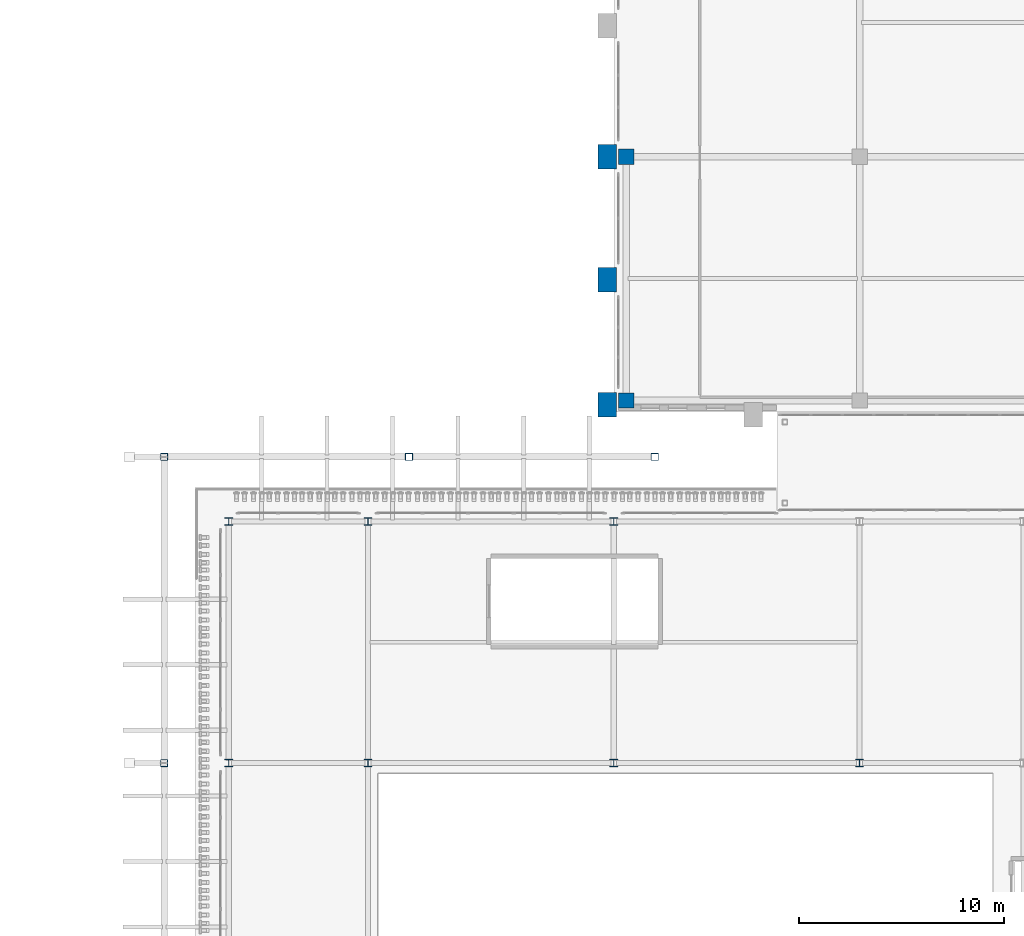
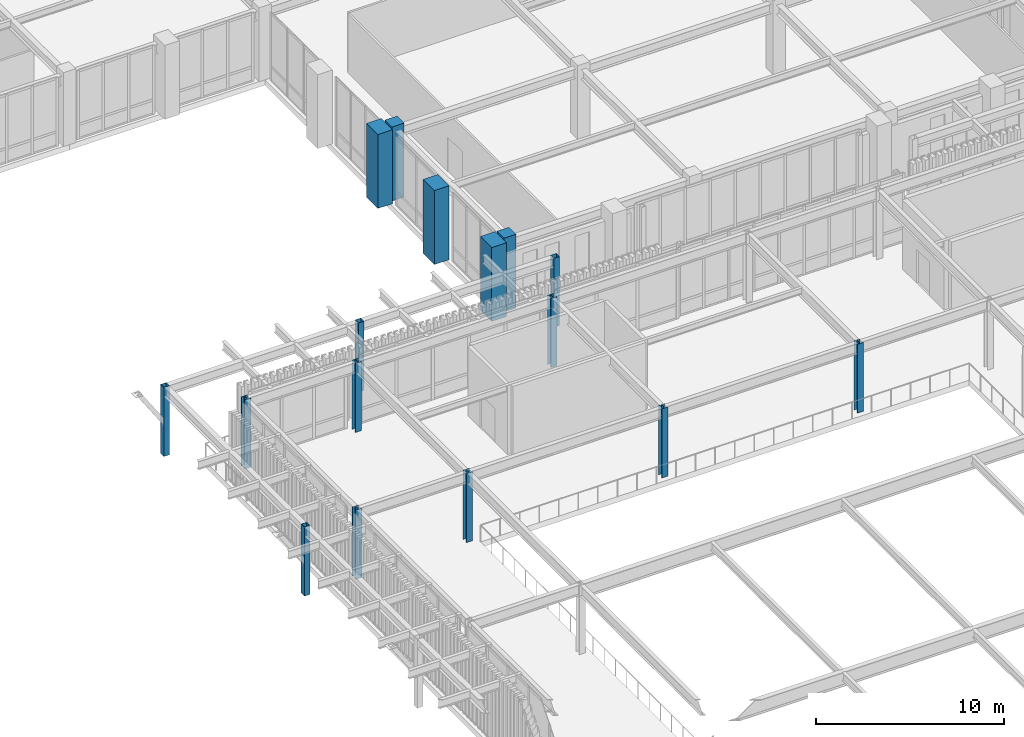
# One storey, part 8 of 126: 16 columns.
"""IFC4 building model written with IfcOpenShell, lengths in metres."""

from ifc_helpers import new_model, si_unit, derived_unit, direction, frame, origin, origin_2d, place, context, subcontext, project, spatial, rectangle, hollow_rectangle, i_section, extrude, material, material_profile, profile_set, type_object, element, save


model = new_model("IFC4")

# Units and contexts
model_context = context("Model", 3, precision=1e-05, world=origin(), true_north=direction((0.0, 1.0)))
body_context = subcontext(model_context, "Body", "Model", "MODEL_VIEW")
ifc_project = project(units=[si_unit("LENGTHUNIT", "METRE"), si_unit("AREAUNIT", "SQUARE_METRE"), si_unit("VOLUMEUNIT", "CUBIC_METRE"), si_unit("PLANEANGLEUNIT", "RADIAN"), si_unit("MASSUNIT", "GRAM", prefix="KILO"), derived_unit("THERMALTRANSMITTANCEUNIT", [(si_unit("MASSUNIT", "GRAM", prefix="KILO"), 1), (si_unit("TIMEUNIT", "SECOND"), -3), (si_unit("THERMODYNAMICTEMPERATUREUNIT", "KELVIN"), -1)])], contexts=[model_context])

# Site, building, storey
site_placement = place(None, origin())
site = spatial("IfcSite", under=ifc_project, at=site_placement, CompositionType="ELEMENT")
building_placement = place(site_placement, origin())
building = spatial("IfcBuilding", under=site, at=building_placement, Name="Valcora Ridge Arena", CompositionType="ELEMENT")
storey_placement = place(building_placement, frame((0.0, 0.0, 11.39990234375)))
storey = spatial("IfcBuildingStorey", under=building, at=storey_placement, Name="L02", CompositionType="ELEMENT", Elevation=11.39990234375)

# Columns
ifc_material_1 = material(Name="Bush-hammered Andean travertine architectural concrete C45/55", Category="masonry")
ifc_material_profile_1 = material_profile(ifc_material_1, rectangle(XDim=0.89990234375, YDim=1.199951171875, at=origin_2d()), Name="RC 900x1200")
ifc_profile_set_1 = profile_set([ifc_material_profile_1], Name="Bush-hammered Andean travertine architectural concrete C45/55")
column_type_1 = type_object("IfcColumnType", Name="TY-COLUMN-C-BUTT-1200", PredefinedType="PILASTER", material=ifc_profile_set_1)
for number, where, z_axis, x_axis, name in (
    (1, (155.679931640625, 83.5, 0.0), (0.0, 0.0, 1.0), (1.0, 0.0, 0.0), "C-BUTT-1200 COL-C-BUTT-1200-0250"),
    (2, (155.679931640625, 89.60009765625, 0.0), (0.0, 0.0, 1.0), (1.0, 0.0, 0.0), "C-BUTT-1200 COL-C-BUTT-1200-0254"),
    (3, (155.679931640625, 95.60009765625, 0.0), (0.0, 0.0, 1.0), (1.0, 0.0, 0.0), "C-BUTT-1200 COL-C-BUTT-1200-0258"),
):
    element("IfcColumn", number, at=place(storey_placement, frame(where, z_axis=z_axis, x_axis=x_axis)), inside=storey, type_object=column_type_1, Name=name, PredefinedType="PILASTER", context=body_context, shape_type="SweptSolid", body=[
        extrude(rectangle(XDim=0.89990234375, YDim=1.199951171875, at=origin_2d()), origin(), (0.0, 0.0, 1.0), 4.800048828125),
    ])
ifc_material_2 = material(Name="Steel ASTM A500 Grade C", Category="steel")
ifc_material_profile_2 = material_profile(ifc_material_2, hollow_rectangle(XDim=0.35009765625, YDim=0.35009765625, WallThickness=0.01611328125, at=origin_2d()), Name="HSS350X350X16")
ifc_profile_set_2 = profile_set([ifc_material_profile_2], Name="Steel ASTM A500 Grade C")
column_type_2 = type_object("IfcColumnType", Name="TY-COLUMN-C-COL350", PredefinedType="COLUMN", material=ifc_profile_set_2)
for number, where, z_axis, x_axis, name in (
    (4, (134.050048828125, 66.0, 0.0), (0.0, 0.0, 1.0), (1.0, 0.0, 0.0), "C-COL350 COL-C-COL350-0018"),
    (5, (134.050048828125, 80.949951171875, 0.0), (0.0, 0.0, 1.0), (1.0, 0.0, 0.0), "C-COL350 COL-C-COL350-0021"),
    (6, (146.0, 80.949951171875, 0.0), (0.0, 0.0, 1.0), (1.0, 0.0, 0.0), "C-COL350 COL-C-COL350-0057"),
    (7, (158.0, 80.949951171875, 0.0), (0.0, 0.0, 1.0), (1.0, 0.0, 0.0), "C-COL350 COL-C-COL350-0060"),
):
    element("IfcColumn", number, at=place(storey_placement, frame(where, z_axis=z_axis, x_axis=x_axis)), inside=storey, type_object=column_type_2, Name=name, PredefinedType="COLUMN", context=body_context, shape_type="SweptSolid", body=[
        extrude(hollow_rectangle(XDim=0.35009765625, YDim=0.35009765625, WallThickness=0.01611328125, at=origin_2d()), origin(), (0.0, 0.0, 1.0), 4.47998046875),
    ])
ifc_material_3 = material(Name="Concrete C40/50", Category="concrete")
ifc_material_profile_3 = material_profile(ifc_material_3, rectangle(XDim=0.75, YDim=0.75, at=origin_2d()), Name="RC 750x750")
ifc_profile_set_3 = profile_set([ifc_material_profile_3], Name="Concrete C40/50")
column_type_3 = type_object("IfcColumnType", Name="TY-COLUMN-C-RC750", PredefinedType="COLUMN", material=ifc_profile_set_3)
for number, where, z_axis, x_axis, name in (
    (8, (156.60009765625, 83.699951171875, 0.0), (0.0, 0.0, 1.0), (1.0, 0.0, 0.0), "C-RC750 COL-C-RC750-0091"),
    (9, (156.60009765625, 95.60009765625, 0.0), (0.0, 0.0, 1.0), (1.0, 0.0, 0.0), "C-RC750 COL-C-RC750-0093"),
):
    element("IfcColumn", number, at=place(storey_placement, frame(where, z_axis=z_axis, x_axis=x_axis)), inside=storey, type_object=column_type_3, Name=name, PredefinedType="COLUMN", context=body_context, shape_type="SweptSolid", body=[
        extrude(rectangle(XDim=0.75, YDim=0.75, at=origin_2d()), origin(), (0.0, 0.0, 1.0), 4.800048828125),
    ])
ifc_material_4 = material(Name="Steel ASTM A572 Grade 50", Category="steel")
ifc_material_profile_4 = material_profile(ifc_material_4, i_section(OverallWidth=0.3740234375, OverallDepth=0.373046875, WebThickness=0.016357421875, FlangeThickness=0.026123046875, FilletRadius=0.01806640625, at=origin_2d()), Name="W14X132")
ifc_profile_set_4 = profile_set([ifc_material_profile_4], Name="Steel ASTM A572 Grade 50")
column_type_4 = type_object("IfcColumnType", Name="TY-COLUMN-C-STL14B", PredefinedType="COLUMN", material=ifc_profile_set_4)
for number, where, z_axis, x_axis, name in (
    (10, (137.199951171875, 66.0, 0.0), (0.0, 0.0, 1.0), (1.0, 0.0, 0.0), "C-STL14B COL-C-STL14B-0012"),
    (11, (137.199951171875, 77.800048828125, 0.0), (0.0, 0.0, 1.0), (1.0, 0.0, 0.0), "C-STL14B COL-C-STL14B-0014"),
    (12, (144.0, 66.0, 0.0), (0.0, 0.0, 1.0), (1.0, 0.0, 0.0), "C-STL14B COL-C-STL14B-0026"),
    (13, (144.0, 77.800048828125, 0.0), (0.0, 0.0, 1.0), (1.0, 0.0, 0.0), "C-STL14B COL-C-STL14B-0028"),
    (14, (156.0, 66.0, 0.0), (0.0, 0.0, 1.0), (1.0, 0.0, 0.0), "C-STL14B COL-C-STL14B-0034"),
    (15, (156.0, 77.800048828125, 0.0), (0.0, 0.0, 1.0), (1.0, 0.0, 0.0), "C-STL14B COL-C-STL14B-0036"),
    (16, (168.0, 66.0, 0.0), (0.0, 0.0, 1.0), (1.0, 0.0, 0.0), "C-STL14B COL-C-STL14B-0042"),
):
    element("IfcColumn", number, at=place(storey_placement, frame(where, z_axis=z_axis, x_axis=x_axis)), inside=storey, type_object=column_type_4, Name=name, PredefinedType="COLUMN", context=body_context, shape_type="SweptSolid", body=[
        extrude(i_section(OverallWidth=0.3740234375, OverallDepth=0.373046875, WebThickness=0.016357421875, FlangeThickness=0.026123046875, FilletRadius=0.01806640625, at=origin_2d()), origin(), (0.0, 0.0, 1.0), 4.47998046875),
    ])

save(model, "model.ifc")
